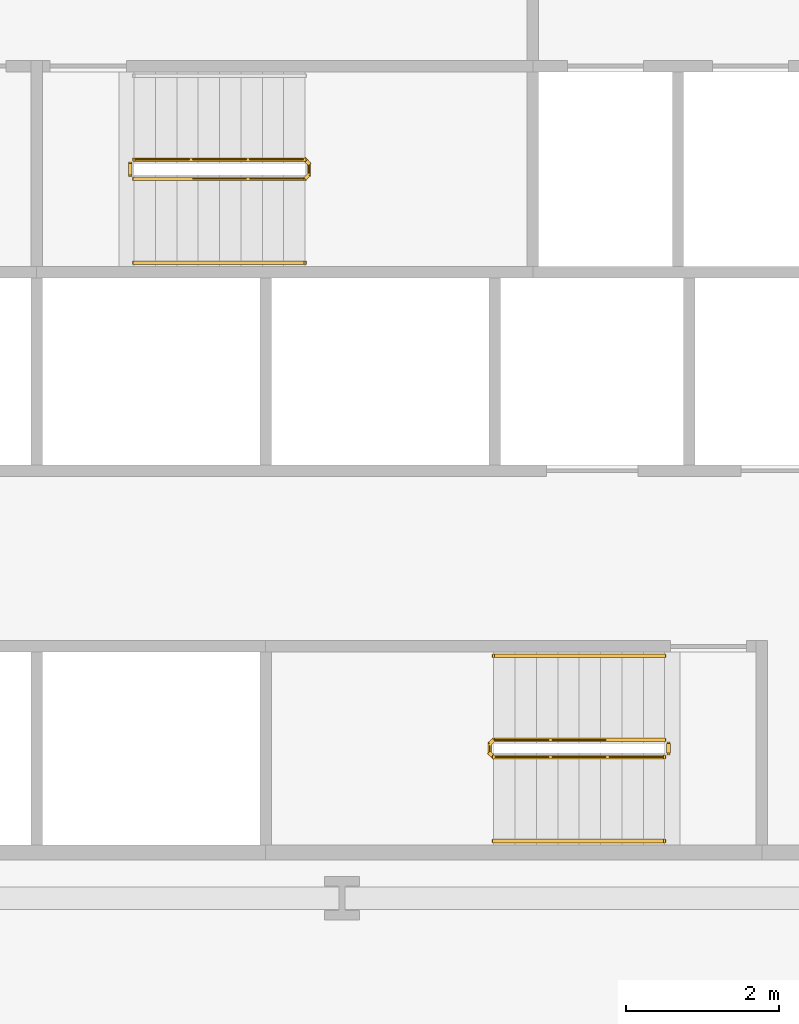
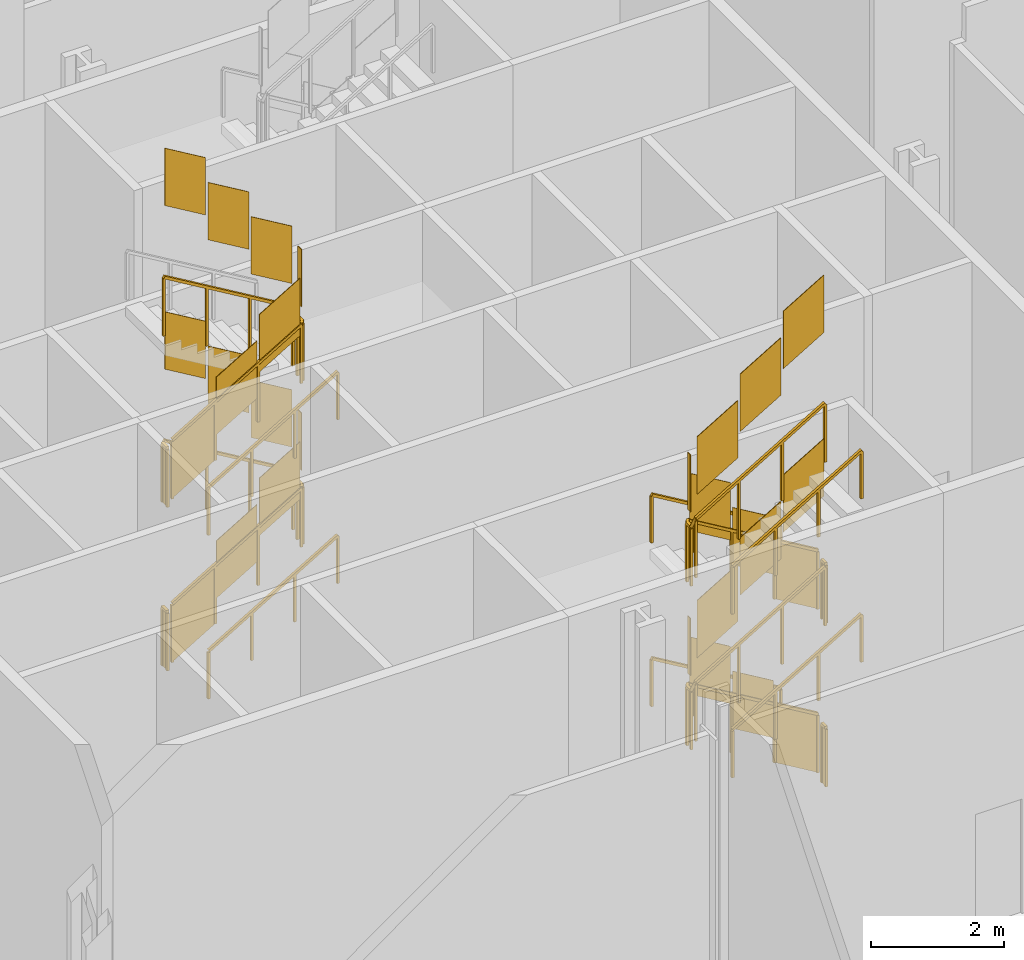
# One storey, part 26 of 31: 14 railings.
"""IFC4 building model written with IfcOpenShell, lengths in metres."""

from ifc_helpers import new_model, si_unit, direction, frame, origin, origin_2d, place, context, subcontext, project, spatial, polyline, rectangle, outline, extrude, material, type_object, element, save


model = new_model("IFC4")

# Units and contexts
model_context = context("Model", 3, precision=1e-05, world=origin(), true_north=direction((0.0, 1.0)))
body_context = subcontext(model_context, "Body", "Model", "MODEL_VIEW")
ifc_project = project(units=[si_unit("LENGTHUNIT", "METRE"), si_unit("AREAUNIT", "SQUARE_METRE"), si_unit("VOLUMEUNIT", "CUBIC_METRE"), si_unit("PLANEANGLEUNIT", "RADIAN"), si_unit("MASSUNIT", "GRAM", prefix="KILO")], contexts=[model_context])

# Site, building, storey
site_placement = place(None, origin())
site = spatial("IfcSite", under=ifc_project, at=site_placement, CompositionType="ELEMENT")
building_placement = place(site_placement, origin())
building = spatial("IfcBuilding", under=site, at=building_placement, Name="Cairn Pilgrim Tower", CompositionType="ELEMENT")
storey_placement = place(building_placement, frame((0.0, 0.0, 9.0)))
storey = spatial("IfcBuildingStorey", under=building, at=storey_placement, Name="L01", CompositionType="ELEMENT", Elevation=9.0)

# Railings
ifc_material = material(Name="Painted steel", Category="steel")
railing_type_1 = type_object("IfcRailingType", Name="STAIR GUARD 1100", PredefinedType="GUARDRAIL", material=ifc_material)
railing_1_placement = place(storey_placement, frame((11.425048828125, -3.925048828125, 0.166748046875)))
element("IfcRailing", 1, at=railing_1_placement, inside=storey, type_object=railing_type_1, Name="L01 ST-A stair guard 1", PredefinedType="GUARDRAIL", context=body_context, shape_type="SweptSolid", body=[
    extrude(rectangle(XDim=0.048095703125, YDim=0.048095703125, at=origin_2d()), frame((0.0, 0.0, 1.076171875), z_axis=(-0.859305625298, 0.0, 0.511462454469), x_axis=(0.0, -1.0, 0.0)), (0.0, 0.0, 1.0), 2.606689453125),
    extrude(rectangle(XDim=0.048095703125, YDim=0.048095703125, at=origin_2d()), frame((-2.239990234375, 0.0, 2.4091796875), z_axis=(-0.707106781187, -0.707106781187, 0.0), x_axis=(0.707106781187, -0.707106781187, 0.0)), (0.0, 0.0, 1.0), 0.07080078125),
    extrude(rectangle(XDim=0.048095703125, YDim=0.048095703125, at=origin_2d()), frame((-2.2900390625, -0.050048828125, 2.4091796875), z_axis=(0.0, -1.0, 0.0), x_axis=(1.0, 0.0, 0.0)), (0.0, 0.0, 1.0), 0.125),
    extrude(rectangle(XDim=0.048095703125, YDim=0.048095703125, at=origin_2d()), frame((-2.2900390625, -0.175048828125, 2.4091796875), z_axis=(0.276389281352, -0.275041040955, 0.920848191041), x_axis=(0.705375805398, 0.708833529934, 0.0)), (0.0, 0.0, 1.0), 0.18115234375),
    extrude(rectangle(XDim=0.048095703125, YDim=0.048095703125, at=origin_2d()), frame((-2.239990234375, -0.224853515625, 2.576171875), z_axis=(0.859305625298, 0.0, 0.511462454469), x_axis=(0.0, 1.0, 0.0)), (0.0, 0.0, 1.0), 2.606689453125),
    extrude(rectangle(XDim=0.0419921875, YDim=0.0419921875, at=origin_2d()), origin(), (0.0, 0.0, 1.0), 1.052001953125),
    extrude(rectangle(XDim=0.0419921875, YDim=0.0419921875, at=origin_2d()), frame((-0.74658203125, 0.0, 0.4443359375)), (0.0, 0.0, 1.0), 1.052001953125),
    extrude(rectangle(XDim=0.0419921875, YDim=0.0419921875, at=origin_2d()), frame((-1.493408203125, 0.0, 0.888916015625)), (0.0, 0.0, 1.0), 1.052001953125),
    extrude(rectangle(XDim=0.0419921875, YDim=0.0419921875, at=origin_2d()), frame((-2.239990234375, 0.0, 1.333251953125)), (0.0, 0.0, 1.0), 1.052001953125),
    extrude(rectangle(XDim=0.0419921875, YDim=0.0419921875, at=origin_2d()), frame((-2.2900390625, -0.050048828125, 1.333251953125)), (0.0, 0.0, 1.0), 1.052001953125),
    extrude(rectangle(XDim=0.0419921875, YDim=0.0419921875, at=origin_2d()), frame((-2.2900390625, -0.175048828125, 1.333251953125)), (0.0, 0.0, 1.0), 1.052001953125),
    extrude(rectangle(XDim=0.0419921875, YDim=0.0419921875, at=origin_2d()), frame((-2.239990234375, -0.224853515625, 1.5)), (0.0, 0.0, 1.0), 1.052001953125),
    extrude(rectangle(XDim=0.0419921875, YDim=0.0419921875, at=origin_2d()), frame((-1.493408203125, -0.224853515625, 1.9443359375)), (0.0, 0.0, 1.0), 1.052001953125),
    extrude(rectangle(XDim=0.0419921875, YDim=0.0419921875, at=origin_2d()), frame((-0.74658203125, -0.224853515625, 2.388916015625)), (0.0, 0.0, 1.0), 1.052001953125),
    extrude(rectangle(XDim=0.0419921875, YDim=0.0419921875, at=origin_2d()), frame((0.0, -0.224853515625, 2.833251953125)), (0.0, 0.0, 1.0), 1.052001953125),
    extrude(outline(polyline([(0.02099609375, 0.012451171875), (0.7255859375, 0.431884765625), (0.7255859375, 1.48388671875), (0.02099609375, 1.064453125), (0.02099609375, 0.012451171875)])), frame((0.0, -0.005859375, 0.0), z_axis=(0.0, 1.0, 0.0), x_axis=(-1.0, 0.0, 0.0)), (0.0, 0.0, 1.0), 0.011962890625),
    extrude(outline(polyline([(0.02099609375, 0.45703125), (0.7255859375, 0.876220703125), (0.7255859375, 1.92822265625), (0.02099609375, 1.509033203125), (0.02099609375, 0.45703125)])), frame((-0.74658203125, -0.005859375, 0.4443359375), z_axis=(0.0, 1.0, 0.0), x_axis=(-1.0, 0.0, 0.0)), (0.0, 0.0, 1.0), 0.011962890625),
    extrude(outline(polyline([(0.02099609375, 0.9013671875), (0.7255859375, 1.32080078125), (0.7255859375, 2.372802734375), (0.02099609375, 1.953369140625), (0.02099609375, 0.9013671875)])), frame((-1.493408203125, -0.005859375, 0.888916015625), z_axis=(0.0, 1.0, 0.0), x_axis=(-1.0, 0.0, 0.0)), (0.0, 0.0, 1.0), 0.011962890625),
    extrude(outline(polyline([(0.02099609375, 1.333251953125), (0.10400390625, 1.333251953125), (0.10400390625, 2.38525390625), (0.02099609375, 2.38525390625), (0.02099609375, 1.333251953125)])), frame((-2.2841796875, -0.050048828125, 1.333251953125), z_axis=(-1.0, 0.0, 0.0), x_axis=(0.0, -1.0, 0.0)), (0.0, 0.0, 1.0), 0.011962890625),
    extrude(outline(polyline([(0.02099609375, 1.512451171875), (0.7255859375, 1.931884765625), (0.7255859375, 2.98388671875), (0.02099609375, 2.564453125), (0.02099609375, 1.512451171875)])), frame((-2.239990234375, -0.21875, 1.5), z_axis=(0.0, -1.0, 0.0), x_axis=(1.0, 0.0, 0.0)), (0.0, 0.0, 1.0), 0.011962890625),
    extrude(outline(polyline([(0.02099609375, 1.95703125), (0.7255859375, 2.376220703125), (0.7255859375, 3.42822265625), (0.02099609375, 3.009033203125), (0.02099609375, 1.95703125)])), frame((-1.493408203125, -0.21875, 1.9443359375), z_axis=(0.0, -1.0, 0.0), x_axis=(1.0, 0.0, 0.0)), (0.0, 0.0, 1.0), 0.011962890625),
    extrude(outline(polyline([(0.02099609375, 2.4013671875), (0.7255859375, 2.82080078125), (0.7255859375, 3.872802734375), (0.02099609375, 3.453369140625), (0.02099609375, 2.4013671875)])), frame((-0.74658203125, -0.21875, 2.388916015625), z_axis=(0.0, -1.0, 0.0), x_axis=(1.0, 0.0, 0.0)), (0.0, 0.0, 1.0), 0.011962890625),
])
railing_2_placement = place(storey_placement, frame((11.47509765625, -3.97509765625, 3.0)))
element("IfcRailing", 2, at=railing_2_placement, inside=storey, type_object=railing_type_1, Name="L01 ST-A stair guard 2", PredefinedType="GUARDRAIL", context=body_context, shape_type="SweptSolid", body=[
    extrude(rectangle(XDim=0.048095703125, YDim=0.048095703125, at=origin_2d()), frame((0.0, 0.0, 1.076171875), z_axis=(0.0, -1.0, 0.0), x_axis=(1.0, 0.0, 0.0)), (0.0, 0.0, 1.0), 0.125),
    extrude(rectangle(XDim=0.0419921875, YDim=0.0419921875, at=origin_2d()), origin(), (0.0, 0.0, 1.0), 1.052001953125),
    extrude(rectangle(XDim=0.0419921875, YDim=0.0419921875, at=origin_2d()), frame((0.0, -0.125, 0.0)), (0.0, 0.0, 1.0), 1.052001953125),
    extrude(outline(polyline([(0.02099609375, 0.0), (0.10400390625, 0.0), (0.10400390625, 1.052001953125), (0.02099609375, 1.052001953125), (0.02099609375, 0.0)])), frame((0.005859375, 0.0, 0.0), z_axis=(-1.0, 0.0, 0.0), x_axis=(0.0, -1.0, 0.0)), (0.0, 0.0, 1.0), 0.011962890625),
])
railing_3_placement = place(storey_placement, frame((11.425048828125, -3.925048828125, 3.166748046875)))
element("IfcRailing", 3, at=railing_3_placement, inside=storey, type_object=railing_type_1, Name="L01 ST-A stair guard 3", PredefinedType="GUARDRAIL", context=body_context, shape_type="SweptSolid", body=[
    extrude(rectangle(XDim=0.048095703125, YDim=0.048095703125, at=origin_2d()), frame((0.0, 0.0, 1.076171875), z_axis=(-0.859305625298, 0.0, 0.511462454469), x_axis=(0.0, -1.0, 0.0)), (0.0, 0.0, 1.0), 2.606689453125),
    extrude(rectangle(XDim=0.048095703125, YDim=0.048095703125, at=origin_2d()), frame((-2.239990234375, 0.0, 2.4091796875), z_axis=(-0.707106781187, -0.707106781187, 0.0), x_axis=(0.707106781187, -0.707106781187, 0.0)), (0.0, 0.0, 1.0), 0.07080078125),
    extrude(rectangle(XDim=0.048095703125, YDim=0.048095703125, at=origin_2d()), frame((-2.2900390625, -0.050048828125, 2.4091796875), z_axis=(0.0, -1.0, 0.0), x_axis=(1.0, 0.0, 0.0)), (0.0, 0.0, 1.0), 0.125),
    extrude(rectangle(XDim=0.048095703125, YDim=0.048095703125, at=origin_2d()), frame((-2.2900390625, -0.175048828125, 2.4091796875), z_axis=(0.276389281352, -0.275041040955, 0.920848191041), x_axis=(0.705375805398, 0.708833529934, 0.0)), (0.0, 0.0, 1.0), 0.18115234375),
    extrude(rectangle(XDim=0.048095703125, YDim=0.048095703125, at=origin_2d()), frame((-2.239990234375, -0.224853515625, 2.576171875), z_axis=(0.859305625298, 0.0, 0.511462454469), x_axis=(0.0, 1.0, 0.0)), (0.0, 0.0, 1.0), 2.606689453125),
    extrude(rectangle(XDim=0.0419921875, YDim=0.0419921875, at=origin_2d()), origin(), (0.0, 0.0, 1.0), 1.052001953125),
    extrude(rectangle(XDim=0.0419921875, YDim=0.0419921875, at=origin_2d()), frame((-0.74658203125, 0.0, 0.4443359375)), (0.0, 0.0, 1.0), 1.052001953125),
    extrude(rectangle(XDim=0.0419921875, YDim=0.0419921875, at=origin_2d()), frame((-1.493408203125, 0.0, 0.888916015625)), (0.0, 0.0, 1.0), 1.052001953125),
    extrude(rectangle(XDim=0.0419921875, YDim=0.0419921875, at=origin_2d()), frame((-2.239990234375, 0.0, 1.333251953125)), (0.0, 0.0, 1.0), 1.052001953125),
    extrude(rectangle(XDim=0.0419921875, YDim=0.0419921875, at=origin_2d()), frame((-2.2900390625, -0.050048828125, 1.333251953125)), (0.0, 0.0, 1.0), 1.052001953125),
    extrude(rectangle(XDim=0.0419921875, YDim=0.0419921875, at=origin_2d()), frame((-2.2900390625, -0.175048828125, 1.333251953125)), (0.0, 0.0, 1.0), 1.052001953125),
    extrude(rectangle(XDim=0.0419921875, YDim=0.0419921875, at=origin_2d()), frame((-2.239990234375, -0.224853515625, 1.5)), (0.0, 0.0, 1.0), 1.052001953125),
    extrude(rectangle(XDim=0.0419921875, YDim=0.0419921875, at=origin_2d()), frame((-1.493408203125, -0.224853515625, 1.9443359375)), (0.0, 0.0, 1.0), 1.052001953125),
    extrude(rectangle(XDim=0.0419921875, YDim=0.0419921875, at=origin_2d()), frame((-0.74658203125, -0.224853515625, 2.388916015625)), (0.0, 0.0, 1.0), 1.052001953125),
    extrude(rectangle(XDim=0.0419921875, YDim=0.0419921875, at=origin_2d()), frame((0.0, -0.224853515625, 2.833251953125)), (0.0, 0.0, 1.0), 1.052001953125),
    extrude(outline(polyline([(0.02099609375, 0.012451171875), (0.7255859375, 0.431884765625), (0.7255859375, 1.48388671875), (0.02099609375, 1.064453125), (0.02099609375, 0.012451171875)])), frame((0.0, -0.005859375, 0.0), z_axis=(0.0, 1.0, 0.0), x_axis=(-1.0, 0.0, 0.0)), (0.0, 0.0, 1.0), 0.011962890625),
    extrude(outline(polyline([(0.02099609375, 0.45703125), (0.7255859375, 0.876220703125), (0.7255859375, 1.92822265625), (0.02099609375, 1.509033203125), (0.02099609375, 0.45703125)])), frame((-0.74658203125, -0.005859375, 0.4443359375), z_axis=(0.0, 1.0, 0.0), x_axis=(-1.0, 0.0, 0.0)), (0.0, 0.0, 1.0), 0.011962890625),
    extrude(outline(polyline([(0.02099609375, 0.9013671875), (0.7255859375, 1.32080078125), (0.7255859375, 2.372802734375), (0.02099609375, 1.953369140625), (0.02099609375, 0.9013671875)])), frame((-1.493408203125, -0.005859375, 0.888916015625), z_axis=(0.0, 1.0, 0.0), x_axis=(-1.0, 0.0, 0.0)), (0.0, 0.0, 1.0), 0.011962890625),
    extrude(outline(polyline([(0.02099609375, 1.333251953125), (0.10400390625, 1.333251953125), (0.10400390625, 2.38525390625), (0.02099609375, 2.38525390625), (0.02099609375, 1.333251953125)])), frame((-2.2841796875, -0.050048828125, 1.333251953125), z_axis=(-1.0, 0.0, 0.0), x_axis=(0.0, -1.0, 0.0)), (0.0, 0.0, 1.0), 0.011962890625),
    extrude(outline(polyline([(0.02099609375, 1.512451171875), (0.7255859375, 1.931884765625), (0.7255859375, 2.98388671875), (0.02099609375, 2.564453125), (0.02099609375, 1.512451171875)])), frame((-2.239990234375, -0.21875, 1.5), z_axis=(0.0, -1.0, 0.0), x_axis=(1.0, 0.0, 0.0)), (0.0, 0.0, 1.0), 0.011962890625),
    extrude(outline(polyline([(0.02099609375, 1.95703125), (0.7255859375, 2.376220703125), (0.7255859375, 3.42822265625), (0.02099609375, 3.009033203125), (0.02099609375, 1.95703125)])), frame((-1.493408203125, -0.21875, 1.9443359375), z_axis=(0.0, -1.0, 0.0), x_axis=(1.0, 0.0, 0.0)), (0.0, 0.0, 1.0), 0.011962890625),
    extrude(outline(polyline([(0.02099609375, 2.4013671875), (0.7255859375, 2.82080078125), (0.7255859375, 3.872802734375), (0.02099609375, 3.453369140625), (0.02099609375, 2.4013671875)])), frame((-0.74658203125, -0.21875, 2.388916015625), z_axis=(0.0, -1.0, 0.0), x_axis=(1.0, 0.0, 0.0)), (0.0, 0.0, 1.0), 0.011962890625),
])
railing_4_placement = place(storey_placement, frame((11.47509765625, -3.97509765625, 0.0)))
element("IfcRailing", 4, at=railing_4_placement, inside=storey, type_object=railing_type_1, Name="L01 ST-A stair guard 4", PredefinedType="GUARDRAIL", context=body_context, shape_type="SweptSolid", body=[
    extrude(rectangle(XDim=0.048095703125, YDim=0.048095703125, at=origin_2d()), frame((0.0, 0.0, 1.076171875), z_axis=(0.0, -1.0, 0.0), x_axis=(1.0, 0.0, 0.0)), (0.0, 0.0, 1.0), 0.125),
    extrude(rectangle(XDim=0.0419921875, YDim=0.0419921875, at=origin_2d()), origin(), (0.0, 0.0, 1.0), 1.052001953125),
    extrude(rectangle(XDim=0.0419921875, YDim=0.0419921875, at=origin_2d()), frame((0.0, -0.125, 0.0)), (0.0, 0.0, 1.0), 1.052001953125),
    extrude(outline(polyline([(0.02099609375, 0.0), (0.10400390625, 0.0), (0.10400390625, 1.052001953125), (0.02099609375, 1.052001953125), (0.02099609375, 0.0)])), frame((0.005859375, 0.0, 0.0), z_axis=(-1.0, 0.0, 0.0), x_axis=(0.0, -1.0, 0.0)), (0.0, 0.0, 1.0), 0.011962890625),
])
railing_5_placement = place(storey_placement, frame((4.47509765625, 3.425048828125, 0.166748046875)))
element("IfcRailing", 5, at=railing_5_placement, inside=storey, type_object=railing_type_1, Name="L01 ST-B stair guard 1", PredefinedType="GUARDRAIL", context=body_context, shape_type="SweptSolid", body=[
    extrude(rectangle(XDim=0.048095703125, YDim=0.048095703125, at=origin_2d()), frame((0.0, 0.0, 1.076171875), z_axis=(0.859305625298, 0.0, 0.511462454469), x_axis=(0.0, 1.0, 0.0)), (0.0, 0.0, 1.0), 2.606689453125),
    extrude(rectangle(XDim=0.048095703125, YDim=0.048095703125, at=origin_2d()), frame((2.239990234375, 0.0, 2.4091796875), z_axis=(0.705375805398, 0.708833529934, 0.0), x_axis=(-0.708833529934, 0.705375805398, 0.0)), (0.0, 0.0, 1.0), 0.070556640625),
    extrude(rectangle(XDim=0.048095703125, YDim=0.048095703125, at=origin_2d()), frame((2.289794921875, 0.050048828125, 2.4091796875), z_axis=(0.0, 1.0, 0.0), x_axis=(-1.0, 0.0, 0.0)), (0.0, 0.0, 1.0), 0.14990234375),
    extrude(rectangle(XDim=0.048095703125, YDim=0.048095703125, at=origin_2d()), frame((2.289794921875, 0.199951171875, 2.4091796875), z_axis=(-0.275041040955, 0.276389281352, 0.920848191041), x_axis=(-0.708833529934, -0.705375805398, 0.0)), (0.0, 0.0, 1.0), 0.18115234375),
    extrude(rectangle(XDim=0.048095703125, YDim=0.048095703125, at=origin_2d()), frame((2.239990234375, 0.25, 2.576171875), z_axis=(-0.859305625298, 0.0, 0.511462454469), x_axis=(0.0, -1.0, 0.0)), (0.0, 0.0, 1.0), 2.606689453125),
    extrude(rectangle(XDim=0.0419921875, YDim=0.0419921875, at=origin_2d()), origin(), (0.0, 0.0, 1.0), 1.052001953125),
    extrude(rectangle(XDim=0.0419921875, YDim=0.0419921875, at=origin_2d()), frame((0.74658203125, 0.0, 0.4443359375)), (0.0, 0.0, 1.0), 1.052001953125),
    extrude(rectangle(XDim=0.0419921875, YDim=0.0419921875, at=origin_2d()), frame((1.493408203125, 0.0, 0.888916015625)), (0.0, 0.0, 1.0), 1.052001953125),
    extrude(rectangle(XDim=0.0419921875, YDim=0.0419921875, at=origin_2d()), frame((2.239990234375, 0.0, 1.333251953125)), (0.0, 0.0, 1.0), 1.052001953125),
    extrude(rectangle(XDim=0.0419921875, YDim=0.0419921875, at=origin_2d()), frame((2.289794921875, 0.050048828125, 1.333251953125)), (0.0, 0.0, 1.0), 1.052001953125),
    extrude(rectangle(XDim=0.0419921875, YDim=0.0419921875, at=origin_2d()), frame((2.289794921875, 0.199951171875, 1.333251953125)), (0.0, 0.0, 1.0), 1.052001953125),
    extrude(rectangle(XDim=0.0419921875, YDim=0.0419921875, at=origin_2d()), frame((2.239990234375, 0.25, 1.5)), (0.0, 0.0, 1.0), 1.052001953125),
    extrude(rectangle(XDim=0.0419921875, YDim=0.0419921875, at=origin_2d()), frame((1.493408203125, 0.25, 1.9443359375)), (0.0, 0.0, 1.0), 1.052001953125),
    extrude(rectangle(XDim=0.0419921875, YDim=0.0419921875, at=origin_2d()), frame((0.74658203125, 0.25, 2.388916015625)), (0.0, 0.0, 1.0), 1.052001953125),
    extrude(rectangle(XDim=0.0419921875, YDim=0.0419921875, at=origin_2d()), frame((0.0, 0.25, 2.833251953125)), (0.0, 0.0, 1.0), 1.052001953125),
    extrude(outline(polyline([(0.02099609375, 0.012451171875), (0.7255859375, 0.431884765625), (0.7255859375, 1.48388671875), (0.02099609375, 1.064453125), (0.02099609375, 0.012451171875)])), frame((0.0, 0.005859375, 0.0), z_axis=(0.0, -1.0, 0.0), x_axis=(1.0, 0.0, 0.0)), (0.0, 0.0, 1.0), 0.011962890625),
    extrude(outline(polyline([(0.02099609375, 0.45703125), (0.7255859375, 0.876220703125), (0.7255859375, 1.92822265625), (0.02099609375, 1.509033203125), (0.02099609375, 0.45703125)])), frame((0.74658203125, 0.005859375, 0.4443359375), z_axis=(0.0, -1.0, 0.0), x_axis=(1.0, 0.0, 0.0)), (0.0, 0.0, 1.0), 0.011962890625),
    extrude(outline(polyline([(0.02099609375, 0.9013671875), (0.7255859375, 1.32080078125), (0.7255859375, 2.372802734375), (0.02099609375, 1.953369140625), (0.02099609375, 0.9013671875)])), frame((1.493408203125, 0.005859375, 0.888916015625), z_axis=(0.0, -1.0, 0.0), x_axis=(1.0, 0.0, 0.0)), (0.0, 0.0, 1.0), 0.011962890625),
    extrude(outline(polyline([(0.02099609375, 1.333251953125), (0.12890625, 1.333251953125), (0.12890625, 2.38525390625), (0.02099609375, 2.38525390625), (0.02099609375, 1.333251953125)])), frame((2.28369140625, 0.050048828125, 1.333251953125), z_axis=(1.0, 0.0, 0.0), x_axis=(0.0, 1.0, 0.0)), (0.0, 0.0, 1.0), 0.011962890625),
    extrude(outline(polyline([(0.02099609375, 1.512451171875), (0.7255859375, 1.931884765625), (0.7255859375, 2.98388671875), (0.02099609375, 2.564453125), (0.02099609375, 1.512451171875)])), frame((2.239990234375, 0.244140625, 1.5), z_axis=(0.0, 1.0, 0.0), x_axis=(-1.0, 0.0, 0.0)), (0.0, 0.0, 1.0), 0.011962890625),
    extrude(outline(polyline([(0.02099609375, 1.95703125), (0.7255859375, 2.376220703125), (0.7255859375, 3.42822265625), (0.02099609375, 3.009033203125), (0.02099609375, 1.95703125)])), frame((1.493408203125, 0.244140625, 1.9443359375), z_axis=(0.0, 1.0, 0.0), x_axis=(-1.0, 0.0, 0.0)), (0.0, 0.0, 1.0), 0.011962890625),
    extrude(outline(polyline([(0.02099609375, 2.4013671875), (0.7255859375, 2.82080078125), (0.7255859375, 3.872802734375), (0.02099609375, 3.453369140625), (0.02099609375, 2.4013671875)])), frame((0.74658203125, 0.244140625, 2.388916015625), z_axis=(0.0, 1.0, 0.0), x_axis=(-1.0, 0.0, 0.0)), (0.0, 0.0, 1.0), 0.011962890625),
])
railing_6_placement = place(storey_placement, frame((4.425048828125, 3.47509765625, 3.0)))
element("IfcRailing", 6, at=railing_6_placement, inside=storey, type_object=railing_type_1, Name="L01 ST-B stair guard 2", PredefinedType="GUARDRAIL", context=body_context, shape_type="SweptSolid", body=[
    extrude(rectangle(XDim=0.048095703125, YDim=0.048095703125, at=origin_2d()), frame((0.0, 0.0, 1.076171875), z_axis=(0.0, 1.0, 0.0), x_axis=(-1.0, 0.0, 0.0)), (0.0, 0.0, 1.0), 0.14990234375),
    extrude(rectangle(XDim=0.0419921875, YDim=0.0419921875, at=origin_2d()), origin(), (0.0, 0.0, 1.0), 1.052001953125),
    extrude(rectangle(XDim=0.0419921875, YDim=0.0419921875, at=origin_2d()), frame((0.0, 0.14990234375, 0.0)), (0.0, 0.0, 1.0), 1.052001953125),
    extrude(outline(polyline([(0.02099609375, 0.0), (0.12890625, 0.0), (0.12890625, 1.052001953125), (0.02099609375, 1.052001953125), (0.02099609375, 0.0)])), frame((-0.005859375, 0.0, 0.0), z_axis=(1.0, 0.0, 0.0), x_axis=(0.0, 1.0, 0.0)), (0.0, 0.0, 1.0), 0.011962890625),
])
railing_7_placement = place(storey_placement, frame((4.47509765625, 3.425048828125, 3.166748046875)))
element("IfcRailing", 7, at=railing_7_placement, inside=storey, type_object=railing_type_1, Name="L01 ST-B stair guard 3", PredefinedType="GUARDRAIL", context=body_context, shape_type="SweptSolid", body=[
    extrude(rectangle(XDim=0.048095703125, YDim=0.048095703125, at=origin_2d()), frame((0.0, 0.0, 1.076171875), z_axis=(0.859305625298, 0.0, 0.511462454469), x_axis=(0.0, 1.0, 0.0)), (0.0, 0.0, 1.0), 2.606689453125),
    extrude(rectangle(XDim=0.048095703125, YDim=0.048095703125, at=origin_2d()), frame((2.239990234375, 0.0, 2.4091796875), z_axis=(0.705375805398, 0.708833529934, 0.0), x_axis=(-0.708833529934, 0.705375805398, 0.0)), (0.0, 0.0, 1.0), 0.070556640625),
    extrude(rectangle(XDim=0.048095703125, YDim=0.048095703125, at=origin_2d()), frame((2.289794921875, 0.050048828125, 2.4091796875), z_axis=(0.0, 1.0, 0.0), x_axis=(-1.0, 0.0, 0.0)), (0.0, 0.0, 1.0), 0.14990234375),
    extrude(rectangle(XDim=0.048095703125, YDim=0.048095703125, at=origin_2d()), frame((2.289794921875, 0.199951171875, 2.4091796875), z_axis=(-0.275041040955, 0.276389281352, 0.920848191041), x_axis=(-0.708833529934, -0.705375805398, 0.0)), (0.0, 0.0, 1.0), 0.18115234375),
    extrude(rectangle(XDim=0.048095703125, YDim=0.048095703125, at=origin_2d()), frame((2.239990234375, 0.25, 2.576171875), z_axis=(-0.859305625298, 0.0, 0.511462454469), x_axis=(0.0, -1.0, 0.0)), (0.0, 0.0, 1.0), 2.606689453125),
    extrude(rectangle(XDim=0.0419921875, YDim=0.0419921875, at=origin_2d()), origin(), (0.0, 0.0, 1.0), 1.052001953125),
    extrude(rectangle(XDim=0.0419921875, YDim=0.0419921875, at=origin_2d()), frame((0.74658203125, 0.0, 0.4443359375)), (0.0, 0.0, 1.0), 1.052001953125),
    extrude(rectangle(XDim=0.0419921875, YDim=0.0419921875, at=origin_2d()), frame((1.493408203125, 0.0, 0.888916015625)), (0.0, 0.0, 1.0), 1.052001953125),
    extrude(rectangle(XDim=0.0419921875, YDim=0.0419921875, at=origin_2d()), frame((2.239990234375, 0.0, 1.333251953125)), (0.0, 0.0, 1.0), 1.052001953125),
    extrude(rectangle(XDim=0.0419921875, YDim=0.0419921875, at=origin_2d()), frame((2.289794921875, 0.050048828125, 1.333251953125)), (0.0, 0.0, 1.0), 1.052001953125),
    extrude(rectangle(XDim=0.0419921875, YDim=0.0419921875, at=origin_2d()), frame((2.289794921875, 0.199951171875, 1.333251953125)), (0.0, 0.0, 1.0), 1.052001953125),
    extrude(rectangle(XDim=0.0419921875, YDim=0.0419921875, at=origin_2d()), frame((2.239990234375, 0.25, 1.5)), (0.0, 0.0, 1.0), 1.052001953125),
    extrude(rectangle(XDim=0.0419921875, YDim=0.0419921875, at=origin_2d()), frame((1.493408203125, 0.25, 1.9443359375)), (0.0, 0.0, 1.0), 1.052001953125),
    extrude(rectangle(XDim=0.0419921875, YDim=0.0419921875, at=origin_2d()), frame((0.74658203125, 0.25, 2.388916015625)), (0.0, 0.0, 1.0), 1.052001953125),
    extrude(rectangle(XDim=0.0419921875, YDim=0.0419921875, at=origin_2d()), frame((0.0, 0.25, 2.833251953125)), (0.0, 0.0, 1.0), 1.052001953125),
    extrude(outline(polyline([(0.02099609375, 0.012451171875), (0.7255859375, 0.431884765625), (0.7255859375, 1.48388671875), (0.02099609375, 1.064453125), (0.02099609375, 0.012451171875)])), frame((0.0, 0.005859375, 0.0), z_axis=(0.0, -1.0, 0.0), x_axis=(1.0, 0.0, 0.0)), (0.0, 0.0, 1.0), 0.011962890625),
    extrude(outline(polyline([(0.02099609375, 0.45703125), (0.7255859375, 0.876220703125), (0.7255859375, 1.92822265625), (0.02099609375, 1.509033203125), (0.02099609375, 0.45703125)])), frame((0.74658203125, 0.005859375, 0.4443359375), z_axis=(0.0, -1.0, 0.0), x_axis=(1.0, 0.0, 0.0)), (0.0, 0.0, 1.0), 0.011962890625),
    extrude(outline(polyline([(0.02099609375, 0.9013671875), (0.7255859375, 1.32080078125), (0.7255859375, 2.372802734375), (0.02099609375, 1.953369140625), (0.02099609375, 0.9013671875)])), frame((1.493408203125, 0.005859375, 0.888916015625), z_axis=(0.0, -1.0, 0.0), x_axis=(1.0, 0.0, 0.0)), (0.0, 0.0, 1.0), 0.011962890625),
    extrude(outline(polyline([(0.02099609375, 1.333251953125), (0.12890625, 1.333251953125), (0.12890625, 2.38525390625), (0.02099609375, 2.38525390625), (0.02099609375, 1.333251953125)])), frame((2.28369140625, 0.050048828125, 1.333251953125), z_axis=(1.0, 0.0, 0.0), x_axis=(0.0, 1.0, 0.0)), (0.0, 0.0, 1.0), 0.011962890625),
    extrude(outline(polyline([(0.02099609375, 1.512451171875), (0.7255859375, 1.931884765625), (0.7255859375, 2.98388671875), (0.02099609375, 2.564453125), (0.02099609375, 1.512451171875)])), frame((2.239990234375, 0.244140625, 1.5), z_axis=(0.0, 1.0, 0.0), x_axis=(-1.0, 0.0, 0.0)), (0.0, 0.0, 1.0), 0.011962890625),
    extrude(outline(polyline([(0.02099609375, 1.95703125), (0.7255859375, 2.376220703125), (0.7255859375, 3.42822265625), (0.02099609375, 3.009033203125), (0.02099609375, 1.95703125)])), frame((1.493408203125, 0.244140625, 1.9443359375), z_axis=(0.0, 1.0, 0.0), x_axis=(-1.0, 0.0, 0.0)), (0.0, 0.0, 1.0), 0.011962890625),
    extrude(outline(polyline([(0.02099609375, 2.4013671875), (0.7255859375, 2.82080078125), (0.7255859375, 3.872802734375), (0.02099609375, 3.453369140625), (0.02099609375, 2.4013671875)])), frame((0.74658203125, 0.244140625, 2.388916015625), z_axis=(0.0, 1.0, 0.0), x_axis=(-1.0, 0.0, 0.0)), (0.0, 0.0, 1.0), 0.011962890625),
])
railing_8_placement = place(storey_placement, frame((4.425048828125, 3.47509765625, 0.0)))
element("IfcRailing", 8, at=railing_8_placement, inside=storey, type_object=railing_type_1, Name="L01 ST-B stair guard 4", PredefinedType="GUARDRAIL", context=body_context, shape_type="SweptSolid", body=[
    extrude(rectangle(XDim=0.048095703125, YDim=0.048095703125, at=origin_2d()), frame((0.0, 0.0, 1.076171875), z_axis=(0.0, 1.0, 0.0), x_axis=(-1.0, 0.0, 0.0)), (0.0, 0.0, 1.0), 0.14990234375),
    extrude(rectangle(XDim=0.0419921875, YDim=0.0419921875, at=origin_2d()), origin(), (0.0, 0.0, 1.0), 1.052001953125),
    extrude(rectangle(XDim=0.0419921875, YDim=0.0419921875, at=origin_2d()), frame((0.0, 0.14990234375, 0.0)), (0.0, 0.0, 1.0), 1.052001953125),
    extrude(outline(polyline([(0.02099609375, 0.0), (0.12890625, 0.0), (0.12890625, 1.052001953125), (0.02099609375, 1.052001953125), (0.02099609375, 0.0)])), frame((-0.005859375, 0.0, 0.0), z_axis=(1.0, 0.0, 0.0), x_axis=(0.0, 1.0, 0.0)), (0.0, 0.0, 1.0), 0.011962890625),
])
railing_type_2 = type_object("IfcRailingType", Name="STAIR HANDRAIL 900", PredefinedType="HANDRAIL", material=ifc_material)
railing_9_placement = place(storey_placement, frame((11.425048828125, -2.824951171875, 0.166748046875)))
element("IfcRailing", 9, at=railing_9_placement, inside=storey, type_object=railing_type_2, Name="L01 ST-A stair handrail 1", PredefinedType="HANDRAIL", context=body_context, shape_type="SweptSolid", body=[
    extrude(rectangle(XDim=0.048095703125, YDim=0.048095703125, at=origin_2d()), frame((0.0, 0.0, 0.8759765625), z_axis=(-0.859305625298, 0.0, 0.511462454469), x_axis=(0.0, -1.0, 0.0)), (0.0, 0.0, 1.0), 2.606689453125),
    extrude(rectangle(XDim=0.0419921875, YDim=0.0419921875, at=origin_2d()), origin(), (0.0, 0.0, 1.0), 0.851806640625),
    extrude(rectangle(XDim=0.0419921875, YDim=0.0419921875, at=origin_2d()), frame((-0.74658203125, 0.0, 0.4443359375)), (0.0, 0.0, 1.0), 0.851806640625),
    extrude(rectangle(XDim=0.0419921875, YDim=0.0419921875, at=origin_2d()), frame((-1.493408203125, 0.0, 0.888916015625)), (0.0, 0.0, 1.0), 0.851806640625),
    extrude(rectangle(XDim=0.0419921875, YDim=0.0419921875, at=origin_2d()), frame((-2.239990234375, 0.0, 1.333251953125)), (0.0, 0.0, 1.0), 0.851806640625),
])
railing_10_placement = place(storey_placement, frame((9.18505859375, -5.25, 1.666748046875)))
element("IfcRailing", 10, at=railing_10_placement, inside=storey, type_object=railing_type_2, Name="L01 ST-A stair handrail 2", PredefinedType="HANDRAIL", context=body_context, shape_type="SweptSolid", body=[
    extrude(rectangle(XDim=0.048095703125, YDim=0.048095703125, at=origin_2d()), frame((0.0, 0.0, 0.8759765625), z_axis=(0.859305625298, 0.0, 0.511462454469), x_axis=(0.0, 1.0, 0.0)), (0.0, 0.0, 1.0), 2.606689453125),
    extrude(rectangle(XDim=0.0419921875, YDim=0.0419921875, at=origin_2d()), origin(), (0.0, 0.0, 1.0), 0.851806640625),
    extrude(rectangle(XDim=0.0419921875, YDim=0.0419921875, at=origin_2d()), frame((0.74658203125, 0.0, 0.4443359375)), (0.0, 0.0, 1.0), 0.851806640625),
    extrude(rectangle(XDim=0.0419921875, YDim=0.0419921875, at=origin_2d()), frame((1.493408203125, 0.0, 0.888916015625)), (0.0, 0.0, 1.0), 0.851806640625),
    extrude(rectangle(XDim=0.0419921875, YDim=0.0419921875, at=origin_2d()), frame((2.239990234375, 0.0, 1.333251953125)), (0.0, 0.0, 1.0), 0.851806640625),
])
railing_11_placement = place(storey_placement, frame((11.425048828125, -2.824951171875, 3.166748046875)))
element("IfcRailing", 11, at=railing_11_placement, inside=storey, type_object=railing_type_2, Name="L01 ST-A stair handrail 3", PredefinedType="HANDRAIL", context=body_context, shape_type="SweptSolid", body=[
    extrude(rectangle(XDim=0.048095703125, YDim=0.048095703125, at=origin_2d()), frame((0.0, 0.0, 0.8759765625), z_axis=(-0.859305625298, 0.0, 0.511462454469), x_axis=(0.0, -1.0, 0.0)), (0.0, 0.0, 1.0), 2.606689453125),
    extrude(rectangle(XDim=0.0419921875, YDim=0.0419921875, at=origin_2d()), origin(), (0.0, 0.0, 1.0), 0.851806640625),
    extrude(rectangle(XDim=0.0419921875, YDim=0.0419921875, at=origin_2d()), frame((-0.74658203125, 0.0, 0.4443359375)), (0.0, 0.0, 1.0), 0.851806640625),
    extrude(rectangle(XDim=0.0419921875, YDim=0.0419921875, at=origin_2d()), frame((-1.493408203125, 0.0, 0.888916015625)), (0.0, 0.0, 1.0), 0.851806640625),
    extrude(rectangle(XDim=0.0419921875, YDim=0.0419921875, at=origin_2d()), frame((-2.239990234375, 0.0, 1.333251953125)), (0.0, 0.0, 1.0), 0.851806640625),
])
for number, where, name in (
    (12, (9.18505859375, -5.25, 4.666748046875), "L01 ST-A stair handrail 4"),
    (13, (4.47509765625, 2.324951171875, 0.166748046875), "L01 ST-B stair handrail 1"),
    (14, (4.47509765625, 2.324951171875, 3.166748046875), "L01 ST-B stair handrail 3"),
):
    element("IfcRailing", number, at=place(storey_placement, frame(where)), inside=storey, type_object=railing_type_2, Name=name, PredefinedType="HANDRAIL", context=body_context, shape_type="SweptSolid", body=[
        extrude(rectangle(XDim=0.048095703125, YDim=0.048095703125, at=origin_2d()), frame((0.0, 0.0, 0.8759765625), z_axis=(0.859305625298, 0.0, 0.511462454469), x_axis=(0.0, 1.0, 0.0)), (0.0, 0.0, 1.0), 2.606689453125),
        extrude(rectangle(XDim=0.0419921875, YDim=0.0419921875, at=origin_2d()), origin(), (0.0, 0.0, 1.0), 0.851806640625),
        extrude(rectangle(XDim=0.0419921875, YDim=0.0419921875, at=origin_2d()), frame((0.74658203125, 0.0, 0.4443359375)), (0.0, 0.0, 1.0), 0.851806640625),
        extrude(rectangle(XDim=0.0419921875, YDim=0.0419921875, at=origin_2d()), frame((1.493408203125, 0.0, 0.888916015625)), (0.0, 0.0, 1.0), 0.851806640625),
        extrude(rectangle(XDim=0.0419921875, YDim=0.0419921875, at=origin_2d()), frame((2.239990234375, 0.0, 1.333251953125)), (0.0, 0.0, 1.0), 0.851806640625),
    ])

save(model, "model.ifc")
